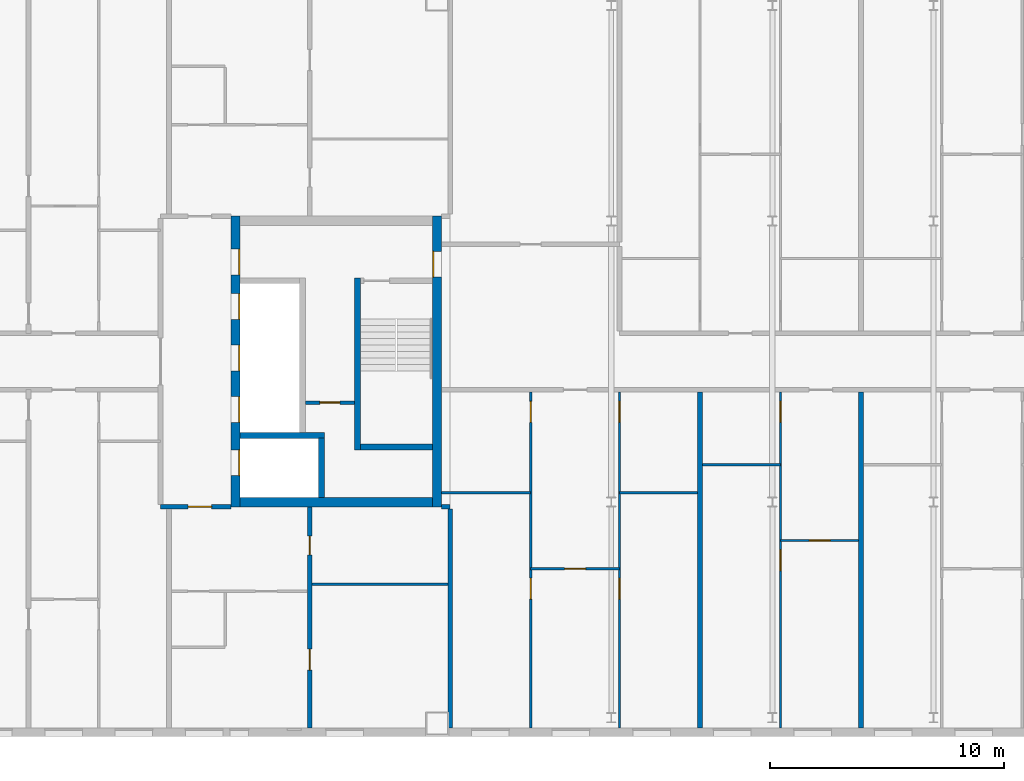
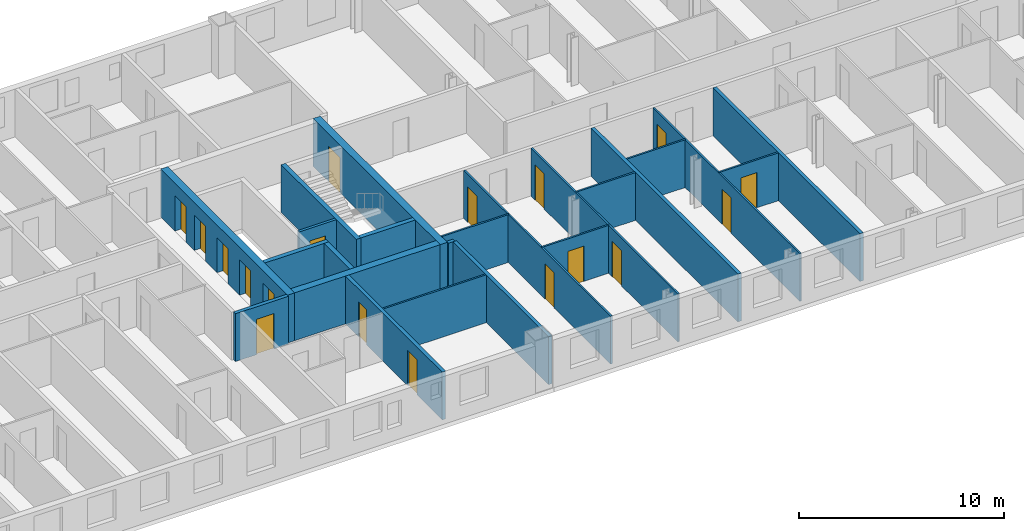
# One storey, part 8 of 19: 23 walls, 18 doors, 18 openings.
"""IFC4 building model written with IfcOpenShell, lengths in metres."""

import ifcopenshell
import ifcopenshell.guid

model = None  # the IFC model being written
_history = None  # IfcOwnerHistory: only IFC2X3 demands one
_inside = {}  # id of a spatial element -> (the spatial element, [elements in it])
_under = {}  # id of a project, library or spatial element -> (it, [spatial elements below it])
_declared = {}  # id of a project -> (the project, [libraries it declares])
_typed = {}  # id of a type object -> (the type object, [elements of that type])
_made_of = {}  # id of a material, layer set ... -> (it, [elements and type objects made of it])


def new_model(schema):
    """Start an empty IFC model of exactly this schema.

    Asked for "IFC4X3", IfcOpenShell would pick the latest addendum, in which some entities
    have other attributes; the version numbers below select the first issue.
    IFC2X3 requires an IfcOwnerHistory on every rooted entity: one is made here for all.
    """
    global model, _history
    if schema == "IFC4X3":
        model = ifcopenshell.file(schema_version=(4, 3, 0, 0))
    else:
        model = ifcopenshell.file(schema=schema)
    _inside.clear()
    _under.clear()
    _declared.clear()
    _typed.clear()
    _made_of.clear()
    _history = None
    if model.schema == "IFC2X3":
        org = make("IfcOrganization", Name="unknown")
        user = make(
            "IfcPersonAndOrganization",
            ThePerson=make("IfcPerson", FamilyName="unknown"),
            TheOrganization=org,
        )
        app = make(
            "IfcApplication",
            ApplicationDeveloper=org,
            Version="unknown",
            ApplicationFullName="unknown",
            ApplicationIdentifier="unknown",
        )
        _history = make(
            "IfcOwnerHistory",
            OwningUser=user,
            OwningApplication=app,
            ChangeAction="ADDED",
            CreationDate=0,
        )
    return model


def make(cls, **values):
    """One entity of the class cls with the attributes given. An attribute that is None is left unset."""
    return model.create_entity(
        cls, **{name: value for name, value in values.items() if value is not None}
    )


def rooted(cls, **values):
    """An entity with a GlobalId (a new one), such as an element, a storey or a relation."""
    return make(cls, GlobalId=ifcopenshell.guid.new(), OwnerHistory=_history, **values)


def si_unit(unit_type, name, prefix=None):
    """IfcSIUnit, for example si_unit("LENGTHUNIT", "METRE", prefix="MILLI")."""
    return make("IfcSIUnit", UnitType=unit_type, Prefix=prefix, Name=name)


def assignment(units):
    """IfcUnitAssignment: the units of a project."""
    return None if units is None else make("IfcUnitAssignment", Units=units)


def point(xyz):
    """IfcCartesianPoint."""
    return None if xyz is None else make("IfcCartesianPoint", Coordinates=xyz)


def direction(xyz):
    """IfcDirection."""
    return None if xyz is None else make("IfcDirection", DirectionRatios=xyz)


def frame(location, z_axis=None, x_axis=None):
    """IfcAxis2Placement3D, a coordinate frame: its origin and axes. An axis left out is left unset."""
    return make(
        "IfcAxis2Placement3D",
        Location=point(location),
        Axis=direction(z_axis),
        RefDirection=direction(x_axis),
    )


def frame_2d(location, x_axis=None):
    """IfcAxis2Placement2D, a coordinate frame in the plane: its origin and x axis."""
    return make(
        "IfcAxis2Placement2D", Location=point(location), RefDirection=direction(x_axis)
    )


def origin():
    """The frame at (0, 0, 0) with its axes left unset."""
    return frame((0.0, 0.0, 0.0))


def place(relative_to, where):
    """IfcLocalPlacement: puts the frame where relative to a parent placement (None: the world)."""
    return make(
        "IfcLocalPlacement", PlacementRelTo=relative_to, RelativePlacement=where
    )


def context(
    kind, dimensions, precision=None, world=None, true_north=None, identifier=None
):
    """IfcGeometricRepresentationContext, for example the 3D "Model" context."""
    return make(
        "IfcGeometricRepresentationContext",
        ContextIdentifier=identifier,
        ContextType=kind,
        CoordinateSpaceDimension=dimensions,
        Precision=precision,
        WorldCoordinateSystem=world,
        TrueNorth=true_north,
    )


def subcontext(parent, identifier, kind, view, scale=None):
    """IfcGeometricRepresentationSubContext, for example "Body" below "Model"."""
    return make(
        "IfcGeometricRepresentationSubContext",
        ContextIdentifier=identifier,
        ContextType=kind,
        ParentContext=parent,
        TargetScale=scale,
        TargetView=view,
    )


def project(units=None, contexts=None):
    """IfcProject with its units and contexts."""
    return rooted(
        "IfcProject",
        Name="project",
        RepresentationContexts=contexts,
        UnitsInContext=assignment(units),
    )


def spatial(cls, under=None, at=None, **own):
    """A site, building, storey or space (cls), placed at a placement, below another one or the project."""
    s = rooted(cls, ObjectPlacement=at, **own)
    if under is not None:
        _under.setdefault(under.id(), (under, []))[1].append(s)
    return s


def profile(cls, at=None, kind="AREA", **sizes):
    """A parametric profile (cls). Its sizes go by their IFC names, for example OverallWidth=200.0."""
    return make(cls, ProfileType=kind, Position=at, **sizes)


def rectangle(**sizes):
    """IfcRectangleProfileDef."""
    return profile("IfcRectangleProfileDef", **sizes)


def extrude(swept, where, along, depth):
    """IfcExtrudedAreaSolid: the profile swept, set in the frame where, extruded along a direction by depth."""
    return make(
        "IfcExtrudedAreaSolid",
        SweptArea=swept,
        Position=where,
        ExtrudedDirection=direction(along),
        Depth=depth,
    )


def shape(context_of_items, identifier, shape_type, items):
    """IfcShapeRepresentation: the items that make up one representation, for example the "Body"."""
    return make(
        "IfcShapeRepresentation",
        ContextOfItems=context_of_items,
        RepresentationIdentifier=identifier,
        RepresentationType=shape_type,
        Items=items,
    )


def material(Name=None, Category=None):
    """IfcMaterial."""
    return make("IfcMaterial", Name=Name, Category=Category)


def layer(
    of_material, thickness, ventilated=None, Name=None, Category=None, Priority=None
):
    """IfcMaterialLayer: one layer of a wall or slab, of a material (None: an air gap)."""
    return make(
        "IfcMaterialLayer",
        Material=of_material,
        LayerThickness=thickness,
        IsVentilated=ventilated,
        Name=Name,
        Category=Category,
        Priority=Priority,
    )


def layer_set(layers, Name=None):
    """IfcMaterialLayerSet."""
    return make("IfcMaterialLayerSet", MaterialLayers=layers, LayerSetName=Name)


def made_of(thing, what):
    """Note that an element or type object is made of a material, layer set ...; save() writes the relation."""
    if what is not None:
        _made_of.setdefault(what.id(), (what, []))[1].append(thing)
    return thing


def type_object(cls, material=None, **own):
    """A type object (cls), such as IfcWallType, which elements share."""
    return made_of(rooted(cls, **own), material)


def element(
    cls,
    number,
    at=None,
    inside=None,
    cuts=None,
    type_object=None,
    material=None,
    context=None,
    identifier="Body",
    shape_type=None,
    held_by="IfcProductDefinitionShape",
    body=None,
    shapes=None,
    **own,
):
    """One element of the class cls, such as IfcWall. Its Tag is "e" and its number.

    at: its placement. inside: the storey or other place that contains it. cuts: it is an
    opening in that element (IfcRelVoidsElement). A single representation is given by context,
    identifier, shape_type and body (its items); several are given by shapes. held_by: the class
    of the entity that holds the representations. save() writes the other relations.
    """
    e = rooted(cls, Tag="e%d" % number, ObjectPlacement=at, **own)
    if body is not None:
        shapes = [shape(context, identifier, shape_type, body)]
    if shapes is not None:
        e.Representation = make(held_by, Representations=shapes)
    if inside is not None:
        _inside.setdefault(inside.id(), (inside, []))[1].append(e)
    if cuts is not None:
        rooted(
            "IfcRelVoidsElement", RelatingBuildingElement=cuts, RelatedOpeningElement=e
        )
    if type_object is not None:
        _typed.setdefault(type_object.id(), (type_object, []))[1].append(e)
    return made_of(e, material)


def fill(opening, filler):
    """IfcRelFillsElement: the door or window that sits in an opening."""
    return rooted(
        "IfcRelFillsElement",
        RelatingOpeningElement=opening,
        RelatedBuildingElement=filler,
    )


def aggregate(whole, parts):
    """IfcRelAggregates: a whole, such as a stair, and the parts it consists of."""
    return rooted("IfcRelAggregates", RelatingObject=whole, RelatedObjects=parts)


def save(model, path):
    """Write the relations noted so far, then the file.

    IfcRelAggregates (storeys below a building ...), IfcRelContainedInSpatialStructure (elements
    in a storey), IfcRelDefinesByType, IfcRelAssociatesMaterial and IfcRelDeclares: one each for
    every whole, place, type object, material and project.
    """
    for whole, parts in _under.values():
        aggregate(whole, parts)
    for where, things in _inside.values():
        rooted(
            "IfcRelContainedInSpatialStructure",
            RelatedElements=things,
            RelatingStructure=where,
        )
    for kind, things in _typed.values():
        rooted("IfcRelDefinesByType", RelatedObjects=things, RelatingType=kind)
    for what, things in _made_of.values():
        rooted("IfcRelAssociatesMaterial", RelatedObjects=things, RelatingMaterial=what)
    for by, libraries in _declared.values():
        rooted("IfcRelDeclares", RelatingContext=by, RelatedDefinitions=libraries)
    model.write(path)


model = new_model("IFC4")

# Units and contexts
model_context = context("Model", 3, precision=1e-05, world=origin(), true_north=direction((0.0, 1.0)))
body_context = subcontext(model_context, "Body", "Model", "MODEL_VIEW")
ifc_project = project(units=[si_unit("LENGTHUNIT", "METRE"), si_unit("AREAUNIT", "SQUARE_METRE"), si_unit("VOLUMEUNIT", "CUBIC_METRE"), si_unit("PLANEANGLEUNIT", "RADIAN"), si_unit("MASSUNIT", "GRAM", prefix="KILO")], contexts=[model_context])

# Site, building, storey
site_placement = place(None, origin())
site = spatial("IfcSite", under=ifc_project, at=site_placement, CompositionType="ELEMENT")
building_placement = place(site_placement, origin())
building = spatial("IfcBuilding", under=site, at=building_placement, Name="Tuart Gate Housing", CompositionType="ELEMENT")
storey_placement = place(building_placement, frame((0.0, 0.0, 212.10009765625)))
storey = spatial("IfcBuildingStorey", under=building, at=storey_placement, Name="L60", CompositionType="ELEMENT", Elevation=212.10009765625)

# Wall, opening, door
ifc_material_1 = material(Name="Plasterboard partition")
ifc_layer_1 = layer(ifc_material_1, 0.14990234375)
ifc_layer_set_1 = layer_set([ifc_layer_1], Name="Core partition 150")
wall_type_1 = type_object("IfcWallType", Name="Core partition 150", PredefinedType="PARTITIONING", material=ifc_layer_set_1)
wall_1_placement = place(storey_placement, frame((69.81494140625, 68.25, 0.0), z_axis=(0.0, 0.0, 1.0), x_axis=(1.0, 0.0, 0.0)))
wall_1 = element("IfcWall", 1, at=wall_1_placement, inside=storey, type_object=wall_type_1, Name="Core partition AG.3", PredefinedType="PARTITIONING", context=body_context, shape_type="SweptSolid", body=[
    extrude(rectangle(XDim=2.10009765625, YDim=0.14990234375, at=frame_2d((1.050048828125, 0.0))), origin(), (0.0, 0.0, 1.0), 2.849853515625),
])
opening_1_placement = place(wall_1_placement, frame((0.625, 0.0, 0.0)))
opening_1 = element("IfcOpeningElement", 2, at=opening_1_placement, cuts=wall_1, Name="Opening D2144", PredefinedType="OPENING", context=body_context, shape_type="SweptSolid", body=[
    extrude(rectangle(XDim=0.85009765625, YDim=2.10009765625, at=frame_2d((0.425048828125, 1.050048828125))), frame((0.0, 0.0849609375, 0.0), z_axis=(0.0, -1.0, 0.0), x_axis=(1.0, 0.0, 0.0)), (0.0, 0.0, 1.0), 0.169921875),
])
ifc_material_2 = material(Name="Steel fire door", Category="steel")
door_type_1 = type_object("IfcDoorType", Name="Riser door 850 x 2100 RH", OperationType="SINGLE_SWING_RIGHT", PredefinedType="DOOR", material=ifc_material_2)
door_1_placement = place(opening_1_placement, frame((0.85009765625, 0.0, 0.0), z_axis=(0.0, 0.0, 1.0), x_axis=(-1.0, 0.0, 0.0)))
door_1 = element("IfcDoor", 3, at=door_1_placement, inside=storey, type_object=door_type_1, Name="Service room door AG.E1", OperationType="SINGLE_SWING_RIGHT", OverallHeight=2.10009765625, OverallWidth=0.85009765625, PredefinedType="DOOR", context=body_context, shape_type="SweptSolid", body=[
    extrude(rectangle(XDim=0.85009765625, YDim=2.10009765625, at=frame_2d((0.425048828125, 1.050048828125))), frame((0.0, 0.025146484375, 0.0), z_axis=(0.0, -1.0, 0.0), x_axis=(1.0, 0.0, 0.0)), (0.0, 0.0, 1.0), 0.050048828125),
])
fill(opening_1, door_1)

# Walls
ifc_material_3 = material(Name="Concrete C40", Category="concrete")
ifc_layer_2 = layer(ifc_material_3, 0.25)
ifc_layer_set_2 = layer_set([ifc_layer_2], Name="Core wall 250 C40")
wall_type_2 = type_object("IfcWallType", Name="Core wall 250 C40", PredefinedType="SHEAR", material=ifc_layer_set_2)
wall_2_placement = place(storey_placement, frame((72.1650390625, 66.35009765625, 0.0), z_axis=(0.0, 0.0, 1.0), x_axis=(1.0, 0.0, 0.0)))
element("IfcWall", 4, at=wall_2_placement, inside=storey, type_object=wall_type_2, Name="Core wall AG.1", PredefinedType="SHEAR", context=body_context, shape_type="SweptSolid", body=[
    extrude(rectangle(XDim=3.074951171875, YDim=0.25, at=frame_2d((1.53759765625, 0.0))), origin(), (0.0, 0.0, 1.0), 2.849853515625),
])
wall_3_placement = place(storey_placement, frame((67.0400390625, 66.85009765625, 0.0), z_axis=(0.0, 0.0, 1.0), x_axis=(1.0, 0.0, 0.0)))
element("IfcWall", 5, at=wall_3_placement, inside=storey, type_object=wall_type_2, Name="Core wall AG.2", PredefinedType="SHEAR", context=body_context, shape_type="SweptSolid", body=[
    extrude(rectangle(XDim=3.594970703125, YDim=0.25, at=frame_2d((1.79736328125, 0.0))), origin(), (0.0, 0.0, 1.0), 2.849853515625),
])
wall_4_placement = place(storey_placement, frame((70.510009765625, 64.199951171875, 0.0), z_axis=(0.0, 0.0, 1.0), x_axis=(0.0, 1.0, 0.0)))
element("IfcWall", 6, at=wall_4_placement, inside=storey, type_object=wall_type_2, Name="Core wall AG.7", PredefinedType="SHEAR", context=body_context, shape_type="SweptSolid", body=[
    extrude(rectangle(XDim=2.525146484375, YDim=0.25, at=frame_2d((1.2626953125, 0.0))), origin(), (0.0, 0.0, 1.0), 2.849853515625),
])
wall_5_placement = place(storey_placement, frame((72.0400390625, 66.22509765625, 0.0), z_axis=(0.0, 0.0, 1.0), x_axis=(0.0, 1.0, 0.0)))
element("IfcWall", 7, at=wall_5_placement, inside=storey, type_object=wall_type_2, Name="Core wall AG.8", PredefinedType="SHEAR", context=body_context, shape_type="SweptSolid", body=[
    extrude(rectangle(XDim=7.349853515625, YDim=0.25, at=frame_2d((3.6748046875, 0.0))), origin(), (0.0, 0.0, 1.0), 2.849853515625),
])

# Wall, openings, doors
ifc_material_4 = material(Name="Concrete C40", Category="concrete")
ifc_layer_3 = layer(ifc_material_4, 0.39990234375)
ifc_layer_set_3 = layer_set([ifc_layer_3], Name="Core wall 400 C40")
wall_type_3 = type_object("IfcWallType", Name="Core wall 400 C40", PredefinedType="SHEAR", material=ifc_layer_set_3)
wall_6_placement = place(storey_placement, frame((66.840087890625, 63.800048828125, 0.0), z_axis=(0.0, 0.0, 1.0), x_axis=(0.0, 1.0, 0.0)))
wall_6 = element("IfcWall", 8, at=wall_6_placement, inside=storey, type_object=wall_type_3, Name="Core wall AG front", PredefinedType="SHEAR", context=body_context, shape_type="SweptSolid", body=[
    extrude(rectangle(XDim=12.39990234375, YDim=0.39990234375, at=frame_2d((6.199951171875, 0.0))), origin(), (0.0, 0.0, 1.0), 2.849853515625),
])
opening_2_placement = place(wall_6_placement, frame((1.324951171875, 0.0, 0.0)))
opening_2 = element("IfcOpeningElement", 9, at=opening_2_placement, cuts=wall_6, Name="Opening LD-FA1", PredefinedType="OPENING", context=body_context, shape_type="SweptSolid", body=[
    extrude(rectangle(XDim=1.10009765625, YDim=2.10009765625, at=frame_2d((0.550048828125, 1.050048828125))), frame((0.0, 0.2099609375, 0.0), z_axis=(0.0, -1.0, 0.0), x_axis=(1.0, 0.0, 0.0)), (0.0, 0.0, 1.0), 0.419921875),
])
opening_3_placement = place(wall_6_placement, frame((3.60009765625, 0.0, 0.0)))
opening_3 = element("IfcOpeningElement", 10, at=opening_3_placement, cuts=wall_6, Name="Opening LD-LA1", PredefinedType="OPENING", context=body_context, shape_type="SweptSolid", body=[
    extrude(rectangle(XDim=1.10009765625, YDim=2.10009765625, at=frame_2d((0.550048828125, 1.050048828125))), frame((0.0, 0.2099609375, 0.0), z_axis=(0.0, -1.0, 0.0), x_axis=(1.0, 0.0, 0.0)), (0.0, 0.0, 1.0), 0.419921875),
])
opening_4_placement = place(wall_6_placement, frame((5.800048828125, 0.0, 0.0)))
opening_4 = element("IfcOpeningElement", 11, at=opening_4_placement, cuts=wall_6, Name="Opening LD-LA2", PredefinedType="OPENING", context=body_context, shape_type="SweptSolid", body=[
    extrude(rectangle(XDim=1.10009765625, YDim=2.10009765625, at=frame_2d((0.550048828125, 1.050048828125))), frame((0.0, 0.2099609375, 0.0), z_axis=(0.0, -1.0, 0.0), x_axis=(1.0, 0.0, 0.0)), (0.0, 0.0, 1.0), 0.419921875),
])
opening_5_placement = place(wall_6_placement, frame((8.0, 0.0, 0.0)))
opening_5 = element("IfcOpeningElement", 12, at=opening_5_placement, cuts=wall_6, Name="Opening LD-LA3", PredefinedType="OPENING", context=body_context, shape_type="SweptSolid", body=[
    extrude(rectangle(XDim=1.10009765625, YDim=2.10009765625, at=frame_2d((0.550048828125, 1.050048828125))), frame((0.0, 0.2099609375, 0.0), z_axis=(0.0, -1.0, 0.0), x_axis=(1.0, 0.0, 0.0)), (0.0, 0.0, 1.0), 0.419921875),
])
opening_6_placement = place(wall_6_placement, frame((9.89990234375, 0.0, 0.0)))
opening_6 = element("IfcOpeningElement", 13, at=opening_6_placement, cuts=wall_6, Name="Opening D2140", PredefinedType="OPENING", context=body_context, shape_type="SweptSolid", body=[
    extrude(rectangle(XDim=1.10009765625, YDim=2.10009765625, at=frame_2d((0.550048828125, 1.050048828125))), frame((0.0, 0.2099609375, 0.0), z_axis=(0.0, -1.0, 0.0), x_axis=(1.0, 0.0, 0.0)), (0.0, 0.0, 1.0), 0.419921875),
])
ifc_material_5 = material(Name="Stainless steel", Category="steel")
door_type_2 = type_object("IfcDoorType", Name="Landing door 1100 x 2100", OperationType="DOUBLE_DOOR_SLIDING", PredefinedType="DOOR", material=ifc_material_5)
door_2_placement = place(opening_2_placement, origin())
door_2 = element("IfcDoor", 14, at=door_2_placement, inside=storey, type_object=door_type_2, Name="Lift landing door FA1", OperationType="DOUBLE_DOOR_SLIDING", OverallHeight=2.10009765625, OverallWidth=1.10009765625, PredefinedType="DOOR", context=body_context, shape_type="SweptSolid", body=[
    extrude(rectangle(XDim=1.10009765625, YDim=2.10009765625, at=frame_2d((0.550048828125, 1.050048828125))), frame((0.0, -0.134765625, 0.0), z_axis=(0.0, -1.0, 0.0), x_axis=(1.0, 0.0, 0.0)), (0.0, 0.0, 1.0), 0.050048828125),
])
fill(opening_2, door_2)
door_3_placement = place(opening_3_placement, origin())
door_3 = element("IfcDoor", 15, at=door_3_placement, inside=storey, type_object=door_type_2, Name="Lift landing door LA1", OperationType="DOUBLE_DOOR_SLIDING", OverallHeight=2.10009765625, OverallWidth=1.10009765625, PredefinedType="DOOR", context=body_context, shape_type="SweptSolid", body=[
    extrude(rectangle(XDim=1.10009765625, YDim=2.10009765625, at=frame_2d((0.550048828125, 1.050048828125))), frame((0.0, -0.134765625, 0.0), z_axis=(0.0, -1.0, 0.0), x_axis=(1.0, 0.0, 0.0)), (0.0, 0.0, 1.0), 0.050048828125),
])
fill(opening_3, door_3)
door_4_placement = place(opening_4_placement, origin())
door_4 = element("IfcDoor", 16, at=door_4_placement, inside=storey, type_object=door_type_2, Name="Lift landing door LA2", OperationType="DOUBLE_DOOR_SLIDING", OverallHeight=2.10009765625, OverallWidth=1.10009765625, PredefinedType="DOOR", context=body_context, shape_type="SweptSolid", body=[
    extrude(rectangle(XDim=1.10009765625, YDim=2.10009765625, at=frame_2d((0.550048828125, 1.050048828125))), frame((0.0, -0.134765625, 0.0), z_axis=(0.0, -1.0, 0.0), x_axis=(1.0, 0.0, 0.0)), (0.0, 0.0, 1.0), 0.050048828125),
])
fill(opening_4, door_4)
door_5_placement = place(opening_5_placement, origin())
door_5 = element("IfcDoor", 17, at=door_5_placement, inside=storey, type_object=door_type_2, Name="Lift landing door LA3", OperationType="DOUBLE_DOOR_SLIDING", OverallHeight=2.10009765625, OverallWidth=1.10009765625, PredefinedType="DOOR", context=body_context, shape_type="SweptSolid", body=[
    extrude(rectangle(XDim=1.10009765625, YDim=2.10009765625, at=frame_2d((0.550048828125, 1.050048828125))), frame((0.0, -0.134765625, 0.0), z_axis=(0.0, -1.0, 0.0), x_axis=(1.0, 0.0, 0.0)), (0.0, 0.0, 1.0), 0.050048828125),
])
fill(opening_5, door_5)
ifc_material_6 = material(Name="Steel fire door", Category="steel")
door_type_3 = type_object("IfcDoorType", Name="Lobby door 1100 x 2100 RH", OperationType="SINGLE_SWING_RIGHT", PredefinedType="DOOR", material=ifc_material_6)
door_6_placement = place(opening_6_placement, frame((1.10009765625, 0.0, 0.0), z_axis=(0.0, 0.0, 1.0), x_axis=(-1.0, 0.0, 0.0)))
door_6 = element("IfcDoor", 18, at=door_6_placement, inside=storey, type_object=door_type_3, Name="Lobby entry door AG.EN", OperationType="SINGLE_SWING_RIGHT", OverallHeight=2.10009765625, OverallWidth=1.10009765625, PredefinedType="DOOR", context=body_context, shape_type="SweptSolid", body=[
    extrude(rectangle(XDim=1.10009765625, YDim=2.10009765625, at=frame_2d((0.550048828125, 1.050048828125))), frame((0.0, 0.184814453125, 0.0), z_axis=(0.0, -1.0, 0.0), x_axis=(1.0, 0.0, 0.0)), (0.0, 0.0, 1.0), 0.050048828125),
])
fill(opening_6, door_6)

# Wall, opening, door
wall_7_placement = place(storey_placement, frame((75.43994140625, 63.800048828125, 0.0), z_axis=(0.0, 0.0, 1.0), x_axis=(0.0, 1.0, 0.0)))
wall_7 = element("IfcWall", 19, at=wall_7_placement, inside=storey, type_object=wall_type_3, Name="Core wall AG back", PredefinedType="SHEAR", context=body_context, shape_type="SweptSolid", body=[
    extrude(rectangle(XDim=12.39990234375, YDim=0.39990234375, at=frame_2d((6.199951171875, 0.0))), origin(), (0.0, 0.0, 1.0), 2.849853515625),
])
opening_7_placement = place(wall_7_placement, frame((9.800048828125, 0.0, 0.0)))
opening_7 = element("IfcOpeningElement", 20, at=opening_7_placement, cuts=wall_7, Name="Opening D2141", PredefinedType="OPENING", context=body_context, shape_type="SweptSolid", body=[
    extrude(rectangle(XDim=1.10009765625, YDim=2.10009765625, at=frame_2d((0.550048828125, 1.050048828125))), frame((0.0, 0.2099609375, 0.0), z_axis=(0.0, -1.0, 0.0), x_axis=(1.0, 0.0, 0.0)), (0.0, 0.0, 1.0), 0.419921875),
])
ifc_material_7 = material(Name="Steel fire door", Category="steel")
door_type_4 = type_object("IfcDoorType", Name="Lobby door 1100 x 2100", OperationType="SINGLE_SWING_LEFT", PredefinedType="DOOR", material=ifc_material_7)
door_7_placement = place(opening_7_placement, origin())
door_7 = element("IfcDoor", 21, at=door_7_placement, inside=storey, type_object=door_type_4, Name="Link door AG.LK", OperationType="SINGLE_SWING_LEFT", OverallHeight=2.10009765625, OverallWidth=1.10009765625, PredefinedType="DOOR", context=body_context, shape_type="SweptSolid", body=[
    extrude(rectangle(XDim=1.10009765625, YDim=2.10009765625, at=frame_2d((0.550048828125, 1.050048828125))), frame((0.0, 0.18505859375, 0.0), z_axis=(0.0, -1.0, 0.0), x_axis=(1.0, 0.0, 0.0)), (0.0, 0.0, 1.0), 0.050048828125),
])
fill(opening_7, door_7)

# Wall
wall_8_placement = place(storey_placement, frame((67.0400390625, 64.0, 0.0), z_axis=(0.0, 0.0, 1.0), x_axis=(1.0, 0.0, 0.0)))
element("IfcWall", 22, at=wall_8_placement, inside=storey, type_object=wall_type_3, Name="Core wall AG south", PredefinedType="SHEAR", context=body_context, shape_type="SweptSolid", body=[
    extrude(rectangle(XDim=8.199951171875, YDim=0.39990234375, at=frame_2d((4.10009765625, 0.0))), origin(), (0.0, 0.0, 1.0), 2.849853515625),
])

# Wall, opening, door
ifc_material_8 = material(Name="Concrete masonry 15 MPa", Category="masonry")
ifc_layer_4 = layer(ifc_material_8, 0.199951171875)
ifc_layer_set_4 = layer_set([ifc_layer_4], Name="Enclosure wall masonry 200")
wall_type_4 = type_object("IfcWallType", Name="Enclosure wall masonry 200", PredefinedType="PARTITIONING", material=ifc_layer_set_4)
wall_9_placement = place(storey_placement, frame((63.639892578125, 63.800048828125, 0.0), z_axis=(0.0, 0.0, 1.0), x_axis=(1.0, 0.0, 0.0)))
wall_9 = element("IfcWall", 23, at=wall_9_placement, inside=storey, type_object=wall_type_4, Name="Enclosure wall masonry 200", PredefinedType="PARTITIONING", context=body_context, shape_type="SweptSolid", body=[
    extrude(rectangle(XDim=3.0, YDim=0.199951171875, at=frame_2d((1.5, 0.0))), origin(), (0.0, 0.0, 1.0), 2.849853515625),
])
opening_8_placement = place(wall_9_placement, frame((1.179931640625, 0.0, 0.0)))
opening_8 = element("IfcOpeningElement", 24, at=opening_8_placement, cuts=wall_9, Name="Opening D2147", PredefinedType="OPENING", context=body_context, shape_type="SweptSolid", body=[
    extrude(rectangle(XDim=1.0, YDim=2.10009765625, at=frame_2d((0.5, 1.050048828125))), frame((0.0, 0.10986328125, 0.0), z_axis=(0.0, -1.0, 0.0), x_axis=(1.0, 0.0, 0.0)), (0.0, 0.0, 1.0), 0.219970703125),
])
ifc_material_9 = material(Name="Timber door leaf in steel frame", Category="steel")
door_type_5 = type_object("IfcDoorType", Name="Flat entrance door 1000 RH", OperationType="SINGLE_SWING_RIGHT", PredefinedType="DOOR", material=ifc_material_9)
door_8_placement = place(opening_8_placement, frame((1.0, 0.0, 0.0), z_axis=(0.0, 0.0, 1.0), x_axis=(-1.0, 0.0, 0.0)))
door_8 = element("IfcDoor", 25, at=door_8_placement, inside=storey, type_object=door_type_5, Name="Flat entrance door", OperationType="SINGLE_SWING_RIGHT", OverallHeight=2.10009765625, OverallWidth=1.0, PredefinedType="DOOR", context=body_context, shape_type="SweptSolid", body=[
    extrude(rectangle(XDim=1.0, YDim=2.10009765625, at=frame_2d((0.5, 1.050048828125))), frame((0.0, 0.025146484375, 0.0), z_axis=(0.0, -1.0, 0.0), x_axis=(1.0, 0.0, 0.0)), (0.0, 0.0, 1.0), 0.050048828125),
])
fill(opening_8, door_8)

# Wall
ifc_material_10 = material(Name="Gypsum board on steel studs", Category="steel")
ifc_layer_5 = layer(ifc_material_10, 0.10009765625)
ifc_layer_set_5 = layer_set([ifc_layer_5], Name="Partition 100")
wall_type_5 = type_object("IfcWallType", Name="Partition 100", PredefinedType="PARTITIONING", material=ifc_layer_set_5)
wall_10_placement = place(storey_placement, frame((70.10009765625, 60.5, 0.0), z_axis=(0.0, 0.0, 1.0), x_axis=(1.0, 0.0, 0.0)))
element("IfcWall", 26, at=wall_10_placement, inside=storey, type_object=wall_type_5, Name="Partition 100", PredefinedType="PARTITIONING", context=body_context, shape_type="SweptSolid", body=[
    extrude(rectangle(XDim=5.7998046875, YDim=0.10009765625, at=frame_2d((2.89990234375, 0.0))), origin(), (0.0, 0.0, 1.0), 2.849853515625),
])

# Wall, opening, door
wall_11_placement = place(storey_placement, frame((79.43798828125, 61.159912109375, 0.0), z_axis=(0.0, 0.0, 1.0), x_axis=(1.0, 0.0, 0.0)))
wall_11 = element("IfcWall", 27, at=wall_11_placement, inside=storey, type_object=wall_type_5, Name="Partition 100", PredefinedType="PARTITIONING", context=body_context, shape_type="SweptSolid", body=[
    extrude(rectangle(XDim=3.787109375, YDim=0.10009765625, at=frame_2d((1.8935546875, 0.0))), origin(), (0.0, 0.0, 1.0), 2.849853515625),
])
opening_9_placement = place(wall_11_placement, frame((1.443603515625, 0.0, 0.0)))
opening_9 = element("IfcOpeningElement", 28, at=opening_9_placement, cuts=wall_11, Name="Opening D2222", PredefinedType="OPENING", context=body_context, shape_type="SweptSolid", body=[
    extrude(rectangle(XDim=0.89990234375, YDim=2.10009765625, at=frame_2d((0.449951171875, 1.050048828125))), frame((0.0, 0.06005859375, 0.0), z_axis=(0.0, -1.0, 0.0), x_axis=(1.0, 0.0, 0.0)), (0.0, 0.0, 1.0), 0.1201171875),
])
ifc_material_11 = material(Name="Timber door leaf in steel frame", Category="steel")
door_type_6 = type_object("IfcDoorType", Name="Internal door 900", OperationType="SINGLE_SWING_LEFT", PredefinedType="DOOR", material=ifc_material_11)
door_9_placement = place(opening_9_placement, origin())
door_9 = element("IfcDoor", 29, at=door_9_placement, inside=storey, type_object=door_type_6, Name="Internal door", OperationType="SINGLE_SWING_LEFT", OverallHeight=2.10009765625, OverallWidth=0.89990234375, PredefinedType="DOOR", context=body_context, shape_type="SweptSolid", body=[
    extrude(rectangle(XDim=0.89990234375, YDim=2.10009765625, at=frame_2d((0.449951171875, 1.050048828125))), frame((0.0, 0.02490234375, 0.0), z_axis=(0.0, -1.0, 0.0), x_axis=(1.0, 0.0, 0.0)), (0.0, 0.0, 1.0), 0.050048828125),
])
fill(opening_9, door_9)

wall_12_placement = place(storey_placement, frame((90.10009765625, 62.360107421875, 0.0), z_axis=(0.0, 0.0, 1.0), x_axis=(1.0, 0.0, 0.0)))
wall_12 = element("IfcWall", 30, at=wall_12_placement, inside=storey, type_object=wall_type_5, Name="Partition 100", PredefinedType="PARTITIONING", context=body_context, shape_type="SweptSolid", body=[
    extrude(rectangle(XDim=3.3369140625, YDim=0.10009765625, at=frame_2d((1.66845703125, 0.0))), origin(), (0.0, 0.0, 1.0), 2.849853515625),
])
opening_10_placement = place(wall_12_placement, frame((1.218505859375, 0.0, 0.0)))
opening_10 = element("IfcOpeningElement", 31, at=opening_10_placement, cuts=wall_12, Name="Opening D2199", PredefinedType="OPENING", context=body_context, shape_type="SweptSolid", body=[
    extrude(rectangle(XDim=0.89990234375, YDim=2.10009765625, at=frame_2d((0.449951171875, 1.050048828125))), frame((0.0, 0.06005859375, 0.0), z_axis=(0.0, -1.0, 0.0), x_axis=(1.0, 0.0, 0.0)), (0.0, 0.0, 1.0), 0.1201171875),
])
door_10_placement = place(opening_10_placement, origin())
door_10 = element("IfcDoor", 32, at=door_10_placement, inside=storey, type_object=door_type_6, Name="Internal door", OperationType="SINGLE_SWING_LEFT", OverallHeight=2.10009765625, OverallWidth=0.89990234375, PredefinedType="DOOR", context=body_context, shape_type="SweptSolid", body=[
    extrude(rectangle(XDim=0.89990234375, YDim=2.10009765625, at=frame_2d((0.449951171875, 1.050048828125))), frame((0.0, 0.02490234375, 0.0), z_axis=(0.0, -1.0, 0.0), x_axis=(1.0, 0.0, 0.0)), (0.0, 0.0, 1.0), 0.050048828125),
])
fill(opening_10, door_10)

# Walls
wall_13_placement = place(storey_placement, frame((75.639892578125, 64.39990234375, 0.0), z_axis=(0.0, 0.0, 1.0), x_axis=(1.0, 0.0, 0.0)))
element("IfcWall", 33, at=wall_13_placement, inside=storey, type_object=wall_type_5, Name="Partition 100", PredefinedType="PARTITIONING", context=body_context, shape_type="SweptSolid", body=[
    extrude(rectangle(XDim=3.798095703125, YDim=0.10009765625, at=frame_2d((1.89892578125, 0.0))), origin(), (0.0, 0.0, 1.0), 2.849853515625),
])
wall_14_placement = place(storey_placement, frame((83.22509765625, 64.39990234375, 0.0), z_axis=(0.0, 0.0, 1.0), x_axis=(1.0, 0.0, 0.0)))
element("IfcWall", 34, at=wall_14_placement, inside=storey, type_object=wall_type_5, Name="Partition 100", PredefinedType="PARTITIONING", context=body_context, shape_type="SweptSolid", body=[
    extrude(rectangle(XDim=3.3369140625, YDim=0.10009765625, at=frame_2d((1.66845703125, 0.0))), origin(), (0.0, 0.0, 1.0), 2.849853515625),
])
wall_15_placement = place(storey_placement, frame((86.761962890625, 65.60009765625, 0.0), z_axis=(0.0, 0.0, 1.0), x_axis=(1.0, 0.0, 0.0)))
element("IfcWall", 35, at=wall_15_placement, inside=storey, type_object=wall_type_5, Name="Partition 100", PredefinedType="PARTITIONING", context=body_context, shape_type="SweptSolid", body=[
    extrude(rectangle(XDim=3.338134765625, YDim=0.10009765625, at=frame_2d((1.6689453125, 0.0))), origin(), (0.0, 0.0, 1.0), 2.849853515625),
])

# Wall, openings, doors
wall_16_placement = place(storey_placement, frame((79.43798828125, 54.360107421875, 0.0), z_axis=(0.0, 0.0, 1.0), x_axis=(0.0, 1.0, 0.0)))
wall_16 = element("IfcWall", 36, at=wall_16_placement, inside=storey, type_object=wall_type_5, Name="Partition 100", PredefinedType="PARTITIONING", context=body_context, shape_type="SweptSolid", body=[
    extrude(rectangle(XDim=14.33984375, YDim=0.10009765625, at=frame_2d((7.169921875, 0.0))), origin(), (0.0, 0.0, 1.0), 2.849853515625),
])
opening_11_placement = place(wall_16_placement, frame((5.5, 0.0, 0.0)))
opening_11 = element("IfcOpeningElement", 37, at=opening_11_placement, cuts=wall_16, Name="Opening D2203", PredefinedType="OPENING", context=body_context, shape_type="SweptSolid", body=[
    extrude(rectangle(XDim=0.89990234375, YDim=2.10009765625, at=frame_2d((0.449951171875, 1.050048828125))), frame((0.0, 0.06005859375, 0.0), z_axis=(0.0, -1.0, 0.0), x_axis=(1.0, 0.0, 0.0)), (0.0, 0.0, 1.0), 0.1201171875),
])
opening_12_placement = place(wall_16_placement, frame((13.0400390625, 0.0, 0.0)))
opening_12 = element("IfcOpeningElement", 38, at=opening_12_placement, cuts=wall_16, Name="Opening D2202", PredefinedType="OPENING", context=body_context, shape_type="SweptSolid", body=[
    extrude(rectangle(XDim=0.89990234375, YDim=2.10009765625, at=frame_2d((0.449951171875, 1.050048828125))), frame((0.0, 0.06005859375, 0.0), z_axis=(0.0, -1.0, 0.0), x_axis=(1.0, 0.0, 0.0)), (0.0, 0.0, 1.0), 0.1201171875),
])
ifc_material_12 = material(Name="Timber door leaf in steel frame", Category="steel")
door_type_7 = type_object("IfcDoorType", Name="Bathroom door 900 RH", OperationType="SINGLE_SWING_RIGHT", PredefinedType="DOOR", material=ifc_material_12)
door_11_placement = place(opening_12_placement, origin())
door_11 = element("IfcDoor", 39, at=door_11_placement, inside=storey, type_object=door_type_7, Name="Bathroom door", OperationType="SINGLE_SWING_RIGHT", OverallHeight=2.10009765625, OverallWidth=0.89990234375, PredefinedType="DOOR", context=body_context, shape_type="SweptSolid", body=[
    extrude(rectangle(XDim=0.89990234375, YDim=2.10009765625, at=frame_2d((0.449951171875, 1.050048828125))), frame((0.0, 0.02490234375, 0.0), z_axis=(0.0, -1.0, 0.0), x_axis=(1.0, 0.0, 0.0)), (0.0, 0.0, 1.0), 0.050048828125),
])
fill(opening_12, door_11)
ifc_material_13 = material(Name="Timber door leaf in steel frame", Category="steel")
door_type_8 = type_object("IfcDoorType", Name="Internal door 900 RH", OperationType="SINGLE_SWING_RIGHT", PredefinedType="DOOR", material=ifc_material_13)
door_12_placement = place(opening_11_placement, origin())
door_12 = element("IfcDoor", 40, at=door_12_placement, inside=storey, type_object=door_type_8, Name="Internal door", OperationType="SINGLE_SWING_RIGHT", OverallHeight=2.10009765625, OverallWidth=0.89990234375, PredefinedType="DOOR", context=body_context, shape_type="SweptSolid", body=[
    extrude(rectangle(XDim=0.89990234375, YDim=2.10009765625, at=frame_2d((0.449951171875, 1.050048828125))), frame((0.0, 0.02490234375, 0.0), z_axis=(0.0, -1.0, 0.0), x_axis=(1.0, 0.0, 0.0)), (0.0, 0.0, 1.0), 0.050048828125),
])
fill(opening_11, door_12)

wall_17_placement = place(storey_placement, frame((83.22509765625, 54.360107421875, 0.0), z_axis=(0.0, 0.0, 1.0), x_axis=(0.0, 1.0, 0.0)))
wall_17 = element("IfcWall", 41, at=wall_17_placement, inside=storey, type_object=wall_type_5, Name="Partition 100", PredefinedType="PARTITIONING", context=body_context, shape_type="SweptSolid", body=[
    extrude(rectangle(XDim=14.33984375, YDim=0.10009765625, at=frame_2d((7.169921875, 0.0))), origin(), (0.0, 0.0, 1.0), 2.849853515625),
])
opening_13_placement = place(wall_17_placement, frame((5.5, 0.0, 0.0)))
opening_13 = element("IfcOpeningElement", 42, at=opening_13_placement, cuts=wall_17, Name="Opening D2205", PredefinedType="OPENING", context=body_context, shape_type="SweptSolid", body=[
    extrude(rectangle(XDim=0.89990234375, YDim=2.10009765625, at=frame_2d((0.449951171875, 1.050048828125))), frame((0.0, 0.06005859375, 0.0), z_axis=(0.0, -1.0, 0.0), x_axis=(1.0, 0.0, 0.0)), (0.0, 0.0, 1.0), 0.1201171875),
])
opening_14_placement = place(wall_17_placement, frame((13.0400390625, 0.0, 0.0)))
opening_14 = element("IfcOpeningElement", 43, at=opening_14_placement, cuts=wall_17, Name="Opening D2204", PredefinedType="OPENING", context=body_context, shape_type="SweptSolid", body=[
    extrude(rectangle(XDim=0.89990234375, YDim=2.10009765625, at=frame_2d((0.449951171875, 1.050048828125))), frame((0.0, 0.06005859375, 0.0), z_axis=(0.0, -1.0, 0.0), x_axis=(1.0, 0.0, 0.0)), (0.0, 0.0, 1.0), 0.1201171875),
])
ifc_material_14 = material(Name="Timber door leaf in steel frame", Category="steel")
door_type_9 = type_object("IfcDoorType", Name="Bathroom door 900", OperationType="SINGLE_SWING_LEFT", PredefinedType="DOOR", material=ifc_material_14)
door_13_placement = place(opening_14_placement, frame((0.89990234375, 0.0, 0.0), z_axis=(0.0, 0.0, 1.0), x_axis=(-1.0, 0.0, 0.0)))
door_13 = element("IfcDoor", 44, at=door_13_placement, inside=storey, type_object=door_type_9, Name="Bathroom door", OperationType="SINGLE_SWING_LEFT", OverallHeight=2.10009765625, OverallWidth=0.89990234375, PredefinedType="DOOR", context=body_context, shape_type="SweptSolid", body=[
    extrude(rectangle(XDim=0.89990234375, YDim=2.10009765625, at=frame_2d((0.449951171875, 1.050048828125))), frame((0.0, 0.025146484375, 0.0), z_axis=(0.0, -1.0, 0.0), x_axis=(1.0, 0.0, 0.0)), (0.0, 0.0, 1.0), 0.050048828125),
])
fill(opening_14, door_13)
door_14_placement = place(opening_13_placement, frame((0.89990234375, 0.0, 0.0), z_axis=(0.0, 0.0, 1.0), x_axis=(-1.0, 0.0, 0.0)))
door_14 = element("IfcDoor", 45, at=door_14_placement, inside=storey, type_object=door_type_6, Name="Internal door", OperationType="SINGLE_SWING_LEFT", OverallHeight=2.10009765625, OverallWidth=0.89990234375, PredefinedType="DOOR", context=body_context, shape_type="SweptSolid", body=[
    extrude(rectangle(XDim=0.89990234375, YDim=2.10009765625, at=frame_2d((0.449951171875, 1.050048828125))), frame((0.0, 0.025146484375, 0.0), z_axis=(0.0, -1.0, 0.0), x_axis=(1.0, 0.0, 0.0)), (0.0, 0.0, 1.0), 0.050048828125),
])
fill(opening_13, door_14)

wall_18_placement = place(storey_placement, frame((90.10009765625, 54.360107421875, 0.0), z_axis=(0.0, 0.0, 1.0), x_axis=(0.0, 1.0, 0.0)))
wall_18 = element("IfcWall", 46, at=wall_18_placement, inside=storey, type_object=wall_type_5, Name="Partition 100", PredefinedType="PARTITIONING", context=body_context, shape_type="SweptSolid", body=[
    extrude(rectangle(XDim=14.33984375, YDim=0.10009765625, at=frame_2d((7.169921875, 0.0))), origin(), (0.0, 0.0, 1.0), 2.849853515625),
])
opening_15_placement = place(wall_18_placement, frame((6.699951171875, 0.0, 0.0)))
opening_15 = element("IfcOpeningElement", 47, at=opening_15_placement, cuts=wall_18, Name="Opening D2207", PredefinedType="OPENING", context=body_context, shape_type="SweptSolid", body=[
    extrude(rectangle(XDim=0.89990234375, YDim=2.10009765625, at=frame_2d((0.449951171875, 1.050048828125))), frame((0.0, 0.06005859375, 0.0), z_axis=(0.0, -1.0, 0.0), x_axis=(1.0, 0.0, 0.0)), (0.0, 0.0, 1.0), 0.1201171875),
])
opening_16_placement = place(wall_18_placement, frame((13.0400390625, 0.0, 0.0)))
opening_16 = element("IfcOpeningElement", 48, at=opening_16_placement, cuts=wall_18, Name="Opening D2206", PredefinedType="OPENING", context=body_context, shape_type="SweptSolid", body=[
    extrude(rectangle(XDim=0.89990234375, YDim=2.10009765625, at=frame_2d((0.449951171875, 1.050048828125))), frame((0.0, 0.06005859375, 0.0), z_axis=(0.0, -1.0, 0.0), x_axis=(1.0, 0.0, 0.0)), (0.0, 0.0, 1.0), 0.1201171875),
])
door_15_placement = place(opening_16_placement, origin())
door_15 = element("IfcDoor", 49, at=door_15_placement, inside=storey, type_object=door_type_7, Name="Bathroom door", OperationType="SINGLE_SWING_RIGHT", OverallHeight=2.10009765625, OverallWidth=0.89990234375, PredefinedType="DOOR", context=body_context, shape_type="SweptSolid", body=[
    extrude(rectangle(XDim=0.89990234375, YDim=2.10009765625, at=frame_2d((0.449951171875, 1.050048828125))), frame((0.0, 0.02490234375, 0.0), z_axis=(0.0, -1.0, 0.0), x_axis=(1.0, 0.0, 0.0)), (0.0, 0.0, 1.0), 0.050048828125),
])
fill(opening_16, door_15)
door_16_placement = place(opening_15_placement, origin())
door_16 = element("IfcDoor", 50, at=door_16_placement, inside=storey, type_object=door_type_8, Name="Internal door", OperationType="SINGLE_SWING_RIGHT", OverallHeight=2.10009765625, OverallWidth=0.89990234375, PredefinedType="DOOR", context=body_context, shape_type="SweptSolid", body=[
    extrude(rectangle(XDim=0.89990234375, YDim=2.10009765625, at=frame_2d((0.449951171875, 1.050048828125))), frame((0.0, 0.02490234375, 0.0), z_axis=(0.0, -1.0, 0.0), x_axis=(1.0, 0.0, 0.0)), (0.0, 0.0, 1.0), 0.050048828125),
])
fill(opening_15, door_16)

ifc_material_15 = material(Name="Concrete C40", Category="concrete")
ifc_layer_6 = layer(ifc_material_15, 0.199951171875)
ifc_layer_set_6 = layer_set([ifc_layer_6], Name="Party wall concrete C40 200")
wall_type_6 = type_object("IfcWallType", Name="Party wall concrete C40 200", PredefinedType="SOLIDWALL", material=ifc_layer_set_6)
wall_19_placement = place(storey_placement, frame((70.0, 54.360107421875, 0.0), z_axis=(0.0, 0.0, 1.0), x_axis=(0.0, 1.0, 0.0)))
wall_19 = element("IfcWall", 51, at=wall_19_placement, inside=storey, type_object=wall_type_6, Name="Party wall concrete C40 200", PredefinedType="SOLIDWALL", context=body_context, shape_type="SweptSolid", body=[
    extrude(rectangle(XDim=9.43994140625, YDim=0.199951171875, at=frame_2d((4.719970703125, 0.0))), origin(), (0.0, 0.0, 1.0), 2.849853515625),
])
opening_17_placement = place(wall_19_placement, frame((2.469970703125, 0.0, 0.0)))
opening_17 = element("IfcOpeningElement", 52, at=opening_17_placement, cuts=wall_19, Name="Opening D2163", PredefinedType="OPENING", context=body_context, shape_type="SweptSolid", body=[
    extrude(rectangle(XDim=0.89990234375, YDim=2.10009765625, at=frame_2d((0.449951171875, 1.050048828125))), frame((0.0, 0.10986328125, 0.0), z_axis=(0.0, -1.0, 0.0), x_axis=(1.0, 0.0, 0.0)), (0.0, 0.0, 1.0), 0.219970703125),
])
opening_18_placement = place(wall_19_placement, frame((7.389892578125, 0.0, 0.0)))
opening_18 = element("IfcOpeningElement", 53, at=opening_18_placement, cuts=wall_19, Name="Opening D2164", PredefinedType="OPENING", context=body_context, shape_type="SweptSolid", body=[
    extrude(rectangle(XDim=0.800048828125, YDim=2.10009765625, at=frame_2d((0.39990234375, 1.050048828125))), frame((0.0, 0.10986328125, 0.0), z_axis=(0.0, -1.0, 0.0), x_axis=(1.0, 0.0, 0.0)), (0.0, 0.0, 1.0), 0.219970703125),
])
door_17_placement = place(opening_17_placement, frame((0.89990234375, 0.0, 0.0), z_axis=(0.0, 0.0, 1.0), x_axis=(-1.0, 0.0, 0.0)))
door_17 = element("IfcDoor", 54, at=door_17_placement, inside=storey, type_object=door_type_8, Name="Internal door", OperationType="SINGLE_SWING_RIGHT", OverallHeight=2.10009765625, OverallWidth=0.89990234375, PredefinedType="DOOR", context=body_context, shape_type="SweptSolid", body=[
    extrude(rectangle(XDim=0.89990234375, YDim=2.10009765625, at=frame_2d((0.449951171875, 1.050048828125))), frame((0.0, 0.025146484375, 0.0), z_axis=(0.0, -1.0, 0.0), x_axis=(1.0, 0.0, 0.0)), (0.0, 0.0, 1.0), 0.050048828125),
])
fill(opening_17, door_17)
ifc_material_16 = material(Name="Timber door leaf in steel frame", Category="steel")
door_type_10 = type_object("IfcDoorType", Name="Store door 800 RH", OperationType="SINGLE_SWING_RIGHT", PredefinedType="DOOR", material=ifc_material_16)
door_18_placement = place(opening_18_placement, frame((0.800048828125, 0.0, 0.0), z_axis=(0.0, 0.0, 1.0), x_axis=(-1.0, 0.0, 0.0)))
door_18 = element("IfcDoor", 55, at=door_18_placement, inside=storey, type_object=door_type_10, Name="Store door", OperationType="SINGLE_SWING_RIGHT", OverallHeight=2.10009765625, OverallWidth=0.800048828125, PredefinedType="DOOR", context=body_context, shape_type="SweptSolid", body=[
    extrude(rectangle(XDim=0.800048828125, YDim=2.10009765625, at=frame_2d((0.400146484375, 1.050048828125))), frame((0.0, 0.025146484375, 0.0), z_axis=(0.0, -1.0, 0.0), x_axis=(1.0, 0.0, 0.0)), (0.0, 0.0, 1.0), 0.050048828125),
])
fill(opening_18, door_18)

# Walls
ifc_material_17 = material(Name="Concrete masonry 15 MPa", Category="masonry")
ifc_layer_7 = layer(ifc_material_17, 0.199951171875)
ifc_layer_set_7 = layer_set([ifc_layer_7], Name="Party wall masonry 200")
wall_type_7 = type_object("IfcWallType", Name="Party wall masonry 200", PredefinedType="PARTITIONING", material=ifc_layer_set_7)
wall_20_placement = place(storey_placement, frame((75.639892578125, 63.800048828125, 0.0), z_axis=(0.0, 0.0, 1.0), x_axis=(1.0, 0.0, 0.0)))
element("IfcWall", 56, at=wall_20_placement, inside=storey, type_object=wall_type_7, Name="Party wall masonry 200", PredefinedType="PARTITIONING", context=body_context, shape_type="SweptSolid", body=[
    extrude(rectangle(XDim=0.360107421875, YDim=0.199951171875, at=frame_2d((0.18017578125, 0.0))), origin(), (0.0, 0.0, 1.0), 2.849853515625),
])
wall_21_placement = place(storey_placement, frame((76.0, 54.360107421875, 0.0), z_axis=(0.0, 0.0, 1.0), x_axis=(0.0, 1.0, 0.0)))
element("IfcWall", 57, at=wall_21_placement, inside=storey, type_object=wall_type_7, Name="Party wall masonry 200", PredefinedType="PARTITIONING", context=body_context, shape_type="SweptSolid", body=[
    extrude(rectangle(XDim=9.33984375, YDim=0.199951171875, at=frame_2d((4.669921875, 0.0))), origin(), (0.0, 0.0, 1.0), 2.849853515625),
])
for number, where, z_axis, x_axis, name in (
    (58, (86.662109375, 54.360107421875, 0.0), (0.0, 0.0, 1.0), (0.0, 1.0, 0.0), "Party wall masonry 200"),
    (59, (93.537109375, 54.360107421875, 0.0), (0.0, 0.0, 1.0), (0.0, 1.0, 0.0), "Party wall masonry 200"),
):
    element("IfcWall", number, at=place(storey_placement, frame(where, z_axis=z_axis, x_axis=x_axis)), inside=storey, type_object=wall_type_7, Name=name, PredefinedType="PARTITIONING", context=body_context, shape_type="SweptSolid", body=[
        extrude(rectangle(XDim=14.33984375, YDim=0.199951171875, at=frame_2d((7.169921875, 0.0))), origin(), (0.0, 0.0, 1.0), 2.849853515625),
    ])

save(model, "model.ifc")
